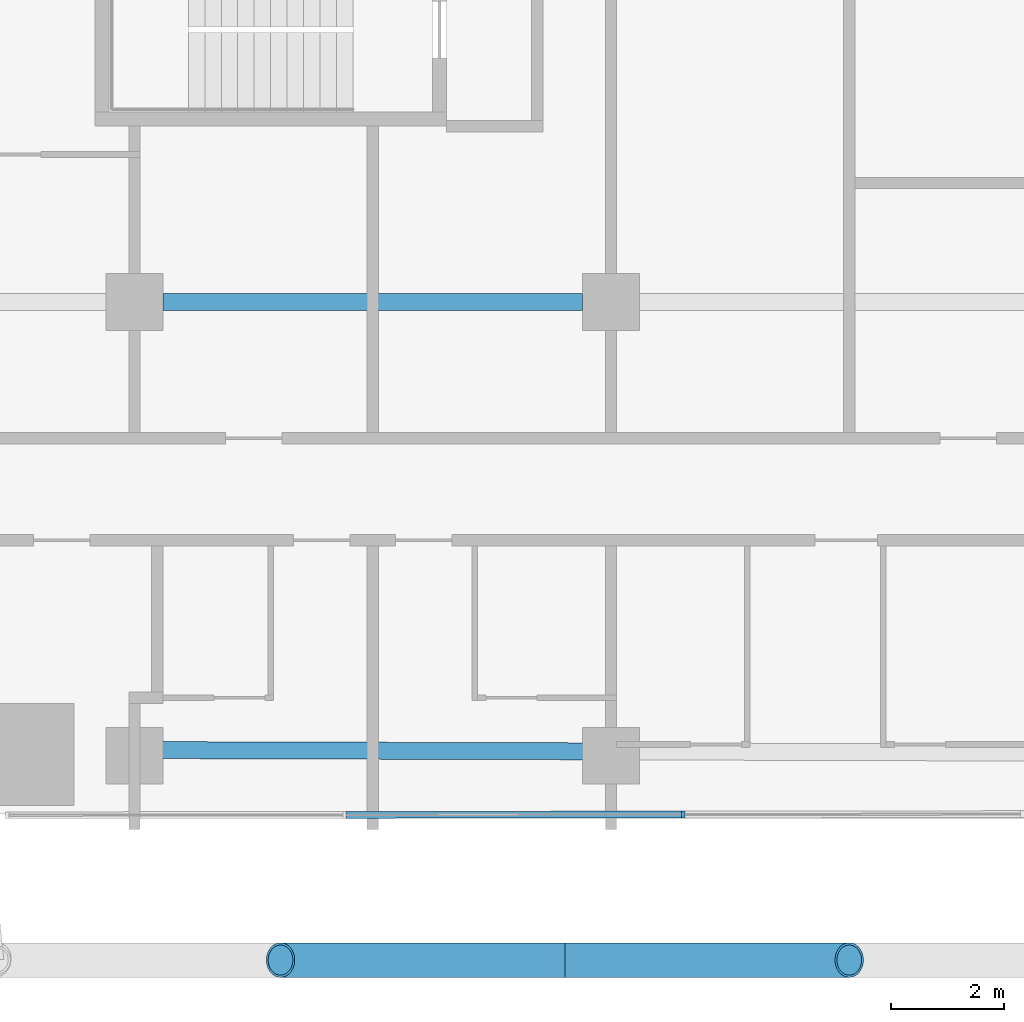
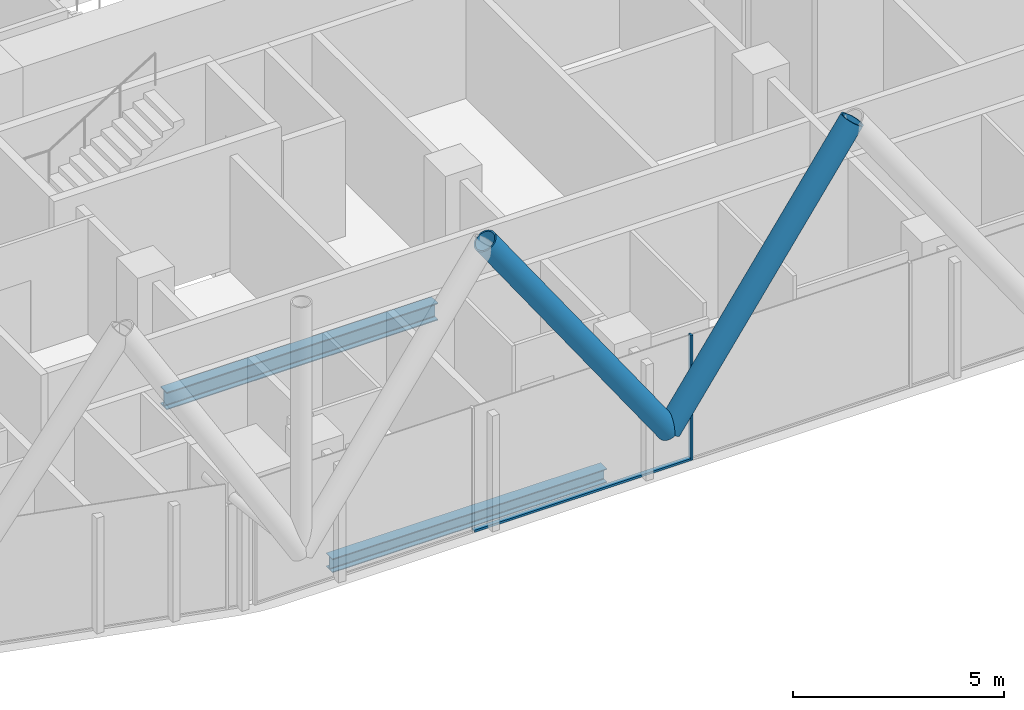
# One storey, part 3 of 35: 4 members, 2 beams, 1 element without a shape of its own.
"""IFC4 building model written with IfcOpenShell, lengths in metres."""

import ifcopenshell
import ifcopenshell.guid

model = None  # the IFC model being written
_history = None  # IfcOwnerHistory: only IFC2X3 demands one
_inside = {}  # id of a spatial element -> (the spatial element, [elements in it])
_under = {}  # id of a project, library or spatial element -> (it, [spatial elements below it])
_declared = {}  # id of a project -> (the project, [libraries it declares])
_typed = {}  # id of a type object -> (the type object, [elements of that type])
_made_of = {}  # id of a material, layer set ... -> (it, [elements and type objects made of it])


def new_model(schema):
    """Start an empty IFC model of exactly this schema.

    Asked for "IFC4X3", IfcOpenShell would pick the latest addendum, in which some entities
    have other attributes; the version numbers below select the first issue.
    IFC2X3 requires an IfcOwnerHistory on every rooted entity: one is made here for all.
    """
    global model, _history
    if schema == "IFC4X3":
        model = ifcopenshell.file(schema_version=(4, 3, 0, 0))
    else:
        model = ifcopenshell.file(schema=schema)
    _inside.clear()
    _under.clear()
    _declared.clear()
    _typed.clear()
    _made_of.clear()
    _history = None
    if model.schema == "IFC2X3":
        org = make("IfcOrganization", Name="unknown")
        user = make(
            "IfcPersonAndOrganization",
            ThePerson=make("IfcPerson", FamilyName="unknown"),
            TheOrganization=org,
        )
        app = make(
            "IfcApplication",
            ApplicationDeveloper=org,
            Version="unknown",
            ApplicationFullName="unknown",
            ApplicationIdentifier="unknown",
        )
        _history = make(
            "IfcOwnerHistory",
            OwningUser=user,
            OwningApplication=app,
            ChangeAction="ADDED",
            CreationDate=0,
        )
    return model


def make(cls, **values):
    """One entity of the class cls with the attributes given. An attribute that is None is left unset."""
    return model.create_entity(
        cls, **{name: value for name, value in values.items() if value is not None}
    )


def rooted(cls, **values):
    """An entity with a GlobalId (a new one), such as an element, a storey or a relation."""
    return make(cls, GlobalId=ifcopenshell.guid.new(), OwnerHistory=_history, **values)


def si_unit(unit_type, name, prefix=None):
    """IfcSIUnit, for example si_unit("LENGTHUNIT", "METRE", prefix="MILLI")."""
    return make("IfcSIUnit", UnitType=unit_type, Prefix=prefix, Name=name)


def assignment(units):
    """IfcUnitAssignment: the units of a project."""
    return None if units is None else make("IfcUnitAssignment", Units=units)


def point(xyz):
    """IfcCartesianPoint."""
    return None if xyz is None else make("IfcCartesianPoint", Coordinates=xyz)


def direction(xyz):
    """IfcDirection."""
    return None if xyz is None else make("IfcDirection", DirectionRatios=xyz)


def frame(location, z_axis=None, x_axis=None):
    """IfcAxis2Placement3D, a coordinate frame: its origin and axes. An axis left out is left unset."""
    return make(
        "IfcAxis2Placement3D",
        Location=point(location),
        Axis=direction(z_axis),
        RefDirection=direction(x_axis),
    )


def frame_2d(location, x_axis=None):
    """IfcAxis2Placement2D, a coordinate frame in the plane: its origin and x axis."""
    return make(
        "IfcAxis2Placement2D", Location=point(location), RefDirection=direction(x_axis)
    )


def origin():
    """The frame at (0, 0, 0) with its axes left unset."""
    return frame((0.0, 0.0, 0.0))


def origin_2d():
    """The frame at (0, 0) in the plane with its x axis left unset."""
    return frame_2d((0.0, 0.0))


def place(relative_to, where):
    """IfcLocalPlacement: puts the frame where relative to a parent placement (None: the world)."""
    return make(
        "IfcLocalPlacement", PlacementRelTo=relative_to, RelativePlacement=where
    )


def context(
    kind, dimensions, precision=None, world=None, true_north=None, identifier=None
):
    """IfcGeometricRepresentationContext, for example the 3D "Model" context."""
    return make(
        "IfcGeometricRepresentationContext",
        ContextIdentifier=identifier,
        ContextType=kind,
        CoordinateSpaceDimension=dimensions,
        Precision=precision,
        WorldCoordinateSystem=world,
        TrueNorth=true_north,
    )


def subcontext(parent, identifier, kind, view, scale=None):
    """IfcGeometricRepresentationSubContext, for example "Body" below "Model"."""
    return make(
        "IfcGeometricRepresentationSubContext",
        ContextIdentifier=identifier,
        ContextType=kind,
        ParentContext=parent,
        TargetScale=scale,
        TargetView=view,
    )


def project(units=None, contexts=None):
    """IfcProject with its units and contexts."""
    return rooted(
        "IfcProject",
        Name="project",
        RepresentationContexts=contexts,
        UnitsInContext=assignment(units),
    )


def spatial(cls, under=None, at=None, **own):
    """A site, building, storey or space (cls), placed at a placement, below another one or the project."""
    s = rooted(cls, ObjectPlacement=at, **own)
    if under is not None:
        _under.setdefault(under.id(), (under, []))[1].append(s)
    return s


def profile(cls, at=None, kind="AREA", **sizes):
    """A parametric profile (cls). Its sizes go by their IFC names, for example OverallWidth=200.0."""
    return make(cls, ProfileType=kind, Position=at, **sizes)


def rectangle(**sizes):
    """IfcRectangleProfileDef."""
    return profile("IfcRectangleProfileDef", **sizes)


def hollow_circle(**sizes):
    """IfcCircleHollowProfileDef."""
    return profile("IfcCircleHollowProfileDef", **sizes)


def i_section(**sizes):
    """IfcIShapeProfileDef."""
    return profile("IfcIShapeProfileDef", **sizes)


def extrude(swept, where, along, depth):
    """IfcExtrudedAreaSolid: the profile swept, set in the frame where, extruded along a direction by depth."""
    return make(
        "IfcExtrudedAreaSolid",
        SweptArea=swept,
        Position=where,
        ExtrudedDirection=direction(along),
        Depth=depth,
    )


def shape(context_of_items, identifier, shape_type, items):
    """IfcShapeRepresentation: the items that make up one representation, for example the "Body"."""
    return make(
        "IfcShapeRepresentation",
        ContextOfItems=context_of_items,
        RepresentationIdentifier=identifier,
        RepresentationType=shape_type,
        Items=items,
    )


def material(Name=None, Category=None):
    """IfcMaterial."""
    return make("IfcMaterial", Name=Name, Category=Category)


def layer(
    of_material, thickness, ventilated=None, Name=None, Category=None, Priority=None
):
    """IfcMaterialLayer: one layer of a wall or slab, of a material (None: an air gap)."""
    return make(
        "IfcMaterialLayer",
        Material=of_material,
        LayerThickness=thickness,
        IsVentilated=ventilated,
        Name=Name,
        Category=Category,
        Priority=Priority,
    )


def layer_set(layers, Name=None):
    """IfcMaterialLayerSet."""
    return make("IfcMaterialLayerSet", MaterialLayers=layers, LayerSetName=Name)


def material_profile(
    of_material, cross_section, Name=None, Category=None, Priority=None
):
    """IfcMaterialProfile: a cross section and its material."""
    return make(
        "IfcMaterialProfile",
        Name=Name,
        Material=of_material,
        Profile=cross_section,
        Priority=Priority,
        Category=Category,
    )


def profile_set(profiles, Name=None, composite=None):
    """IfcMaterialProfileSet."""
    return make(
        "IfcMaterialProfileSet",
        Name=Name,
        MaterialProfiles=profiles,
        CompositeProfile=composite,
    )


def made_of(thing, what):
    """Note that an element or type object is made of a material, layer set ...; save() writes the relation."""
    if what is not None:
        _made_of.setdefault(what.id(), (what, []))[1].append(thing)
    return thing


def type_object(cls, material=None, **own):
    """A type object (cls), such as IfcWallType, which elements share."""
    return made_of(rooted(cls, **own), material)


def element(
    cls,
    number,
    at=None,
    inside=None,
    cuts=None,
    type_object=None,
    material=None,
    context=None,
    identifier="Body",
    shape_type=None,
    held_by="IfcProductDefinitionShape",
    body=None,
    shapes=None,
    **own,
):
    """One element of the class cls, such as IfcWall. Its Tag is "e" and its number.

    at: its placement. inside: the storey or other place that contains it. cuts: it is an
    opening in that element (IfcRelVoidsElement). A single representation is given by context,
    identifier, shape_type and body (its items); several are given by shapes. held_by: the class
    of the entity that holds the representations. save() writes the other relations.
    """
    e = rooted(cls, Tag="e%d" % number, ObjectPlacement=at, **own)
    if body is not None:
        shapes = [shape(context, identifier, shape_type, body)]
    if shapes is not None:
        e.Representation = make(held_by, Representations=shapes)
    if inside is not None:
        _inside.setdefault(inside.id(), (inside, []))[1].append(e)
    if cuts is not None:
        rooted(
            "IfcRelVoidsElement", RelatingBuildingElement=cuts, RelatedOpeningElement=e
        )
    if type_object is not None:
        _typed.setdefault(type_object.id(), (type_object, []))[1].append(e)
    return made_of(e, material)


def aggregate(whole, parts):
    """IfcRelAggregates: a whole, such as a stair, and the parts it consists of."""
    return rooted("IfcRelAggregates", RelatingObject=whole, RelatedObjects=parts)


def save(model, path):
    """Write the relations noted so far, then the file.

    IfcRelAggregates (storeys below a building ...), IfcRelContainedInSpatialStructure (elements
    in a storey), IfcRelDefinesByType, IfcRelAssociatesMaterial and IfcRelDeclares: one each for
    every whole, place, type object, material and project.
    """
    for whole, parts in _under.values():
        aggregate(whole, parts)
    for where, things in _inside.values():
        rooted(
            "IfcRelContainedInSpatialStructure",
            RelatedElements=things,
            RelatingStructure=where,
        )
    for kind, things in _typed.values():
        rooted("IfcRelDefinesByType", RelatedObjects=things, RelatingType=kind)
    for what, things in _made_of.values():
        rooted("IfcRelAssociatesMaterial", RelatedObjects=things, RelatingMaterial=what)
    for by, libraries in _declared.values():
        rooted("IfcRelDeclares", RelatingContext=by, RelatedDefinitions=libraries)
    model.write(path)


model = new_model("IFC4")

# Units and contexts
model_context = context("Model", 3, precision=1e-05, world=origin(), true_north=direction((0.0, 1.0)))
body_context = subcontext(model_context, "Body", "Model", "MODEL_VIEW")
ifc_project = project(units=[si_unit("LENGTHUNIT", "METRE"), si_unit("AREAUNIT", "SQUARE_METRE"), si_unit("VOLUMEUNIT", "CUBIC_METRE"), si_unit("PLANEANGLEUNIT", "RADIAN"), si_unit("MASSUNIT", "GRAM", prefix="KILO")], contexts=[model_context])

# Site, building, storey
site_placement = place(None, origin())
site = spatial("IfcSite", under=ifc_project, at=site_placement, CompositionType="ELEMENT")
building_placement = place(site_placement, origin())
building = spatial("IfcBuilding", under=site, at=building_placement, Name="Marenta Gate Hotel Tower", CompositionType="ELEMENT")
storey_placement = place(building_placement, frame((0.0, 0.0, 61.699951171875)))
storey = spatial("IfcBuildingStorey", under=building, at=storey_placement, Name="L13", CompositionType="ELEMENT", Elevation=61.699951171875)

# Members
ifc_material_1 = material(Name="Steel S355J2W", Category="steel")
ifc_material_profile_1 = material_profile(ifc_material_1, hollow_circle(Radius=0.304931640625, WallThickness=0.0400390625, at=origin_2d()), Name="CHS 610x40")
ifc_profile_set_1 = profile_set([ifc_material_profile_1], Name="Steel S355J2W")
member_type_1 = type_object("IfcMemberType", Name="Diagrid diagonal Z1 CHS 610x40", PredefinedType="BRACE", material=ifc_profile_set_1)
for number, where, z_axis, x_axis, name in (
    (1, (-5.012939453125, -20.0, 3.14013671875), (0.571393025954, 0.0, 0.820676556197), (0.0, 1.0, 0.0), "L13-DG-18"),
    (2, (-5.012939453125, -20.0, 3.14013671875), (-0.571393025954, 0.0, 0.820676556197), (0.0, -1.0, 0.0), "L13-DG-19"),
):
    element("IfcMember", number, at=place(storey_placement, frame(where, z_axis=z_axis, x_axis=x_axis)), inside=storey, type_object=member_type_1, Name=name, PredefinedType="BRACE", context=body_context, shape_type="SweptSolid", body=[
        extrude(hollow_circle(Radius=0.304931640625, WallThickness=0.0400390625, at=origin_2d()), origin(), (0.0, 0.0, 1.0), 8.773193359375),
    ])

# Beams
ifc_material_2 = material(Name="Steel S355", Category="steel")
ifc_material_profile_2 = material_profile(ifc_material_2, i_section(OverallWidth=0.300048828125, OverallDepth=0.39990234375, WebThickness=0.013427734375, FlangeThickness=0.02392578125, FilletRadius=0.027099609375, at=origin_2d()), Name="HEB 400")
ifc_profile_set_2 = profile_set([ifc_material_profile_2], Name="Steel S355")
beam_type_1 = type_object("IfcBeamType", Name="Edge beam HEB 400", PredefinedType="SPANDREL", material=ifc_profile_set_2)
beam_1_placement = place(storey_placement, frame((-4.659912109375, -16.31982421875, -0.4599609375), z_axis=(-0.999996151562, 0.002774321851, 0.0), x_axis=(-0.002774321851, -0.999996151562, 0.0)))
element("IfcBeam", 3, at=beam_1_placement, inside=storey, type_object=beam_type_1, Name="L13-EB-34", PredefinedType="SPANDREL", context=body_context, shape_type="SweptSolid", body=[
    extrude(i_section(OverallWidth=0.300048828125, OverallDepth=0.39990234375, WebThickness=0.013427734375, FlangeThickness=0.02392578125, FilletRadius=0.027099609375, at=origin_2d()), origin(), (0.0, 0.0, 1.0), 7.47998046875),
])
ifc_material_3 = material(Name="Steel S355", Category="steel")
ifc_material_profile_3 = material_profile(ifc_material_3, i_section(OverallWidth=0.300048828125, OverallDepth=0.5, WebThickness=0.014404296875, FlangeThickness=0.028076171875, FilletRadius=0.027099609375, at=origin_2d()), Name="HEB 500")
ifc_profile_set_3 = profile_set([ifc_material_profile_3], Name="Steel S355")
beam_type_2 = type_object("IfcBeamType", Name="Girder HEB 500", PredefinedType="BEAM", material=ifc_profile_set_3)
beam_2_placement = place(storey_placement, frame((-12.10009765625, -8.39990234375, -0.510009765625), z_axis=(1.0, 0.0, 0.0), x_axis=(0.0, 1.0, 0.0)))
element("IfcBeam", 4, at=beam_2_placement, inside=storey, type_object=beam_type_2, Name="L13-GD-3", PredefinedType="BEAM", context=body_context, shape_type="SweptSolid", body=[
    extrude(i_section(OverallWidth=0.300048828125, OverallDepth=0.5, WebThickness=0.014404296875, FlangeThickness=0.028076171875, FilletRadius=0.027099609375, at=origin_2d()), origin(), (0.0, 0.0, 1.0), 7.400146484375),
])

# Curtain wall, members
ifc_material_4 = material(Name="Tinted insulated glass in bronze anodised frame", Category="glass")
ifc_layer = layer(ifc_material_4, 0.1201171875)
ifc_layer_set = layer_set([ifc_layer], Name="Tinted insulated glass in bronze anodised frame")
curtain_wall_type = type_object("IfcCurtainWallType", Name="Tower unitised curtain wall CW1", PredefinedType="NOTDEFINED", material=ifc_layer_set)
curtain_wall_placement = place(storey_placement, origin())
curtain_wall = element("IfcCurtainWall", 5, at=curtain_wall_placement, inside=storey, type_object=curtain_wall_type, Name="CW1 run G11", PredefinedType="NOTDEFINED")
ifc_material_5 = material(Name="Bronze anodised aluminium", Category="aluminium")
ifc_material_profile_4 = material_profile(ifc_material_5, rectangle(XDim=0.1201171875, YDim=0.06005859375, at=origin_2d()), Name="Mullion CW1 60x120 bronze anodised aluminium")
ifc_profile_set_4 = profile_set([ifc_material_profile_4], Name="Bronze anodised aluminium")
member_type_2 = type_object("IfcMemberType", Name="Mullion CW1 60x120 bronze anodised aluminium", PredefinedType="MULLION", material=ifc_profile_set_4)
member_1_placement = place(storey_placement, frame((-2.9248046875, -17.433837890625, 0.0), z_axis=(0.0, 0.0, 1.0), x_axis=(-0.001161921639, 0.999999324969, 0.0)))
member_1 = element("IfcMember", 6, at=member_1_placement, type_object=member_type_2, Name="CW1 mullion 3", PredefinedType="MULLION", context=body_context, shape_type="SweptSolid", body=[
    extrude(rectangle(XDim=0.1201171875, YDim=0.06005859375, at=origin_2d()), origin(), (0.0, 0.0, 1.0), 3.60009765625),
])
ifc_material_6 = material(Name="Bronze anodised aluminium", Category="aluminium")
ifc_material_profile_5 = material_profile(ifc_material_6, rectangle(XDim=0.1201171875, YDim=0.06005859375, at=origin_2d()), Name="Transom CW1 60x120 bronze anodised aluminium")
ifc_profile_set_5 = profile_set([ifc_material_profile_5], Name="Bronze anodised aluminium")
member_type_3 = type_object("IfcMemberType", Name="Transom CW1 60x120 bronze anodised aluminium", PredefinedType="USERDEFINED", material=ifc_profile_set_5)
member_2_placement = place(storey_placement, frame((-8.86767578125, -17.44091796875, 0.030029296875), z_axis=(0.999999283109, 0.001197406136, 0.0), x_axis=(-0.001197406136, 0.999999283109, 0.0)))
member_2 = element("IfcMember", 7, at=member_2_placement, type_object=member_type_3, Name="CW1 transom 2.1", ObjectType="TRANSOM", PredefinedType="USERDEFINED", context=body_context, shape_type="SweptSolid", body=[
    extrude(rectangle(XDim=0.1201171875, YDim=0.06005859375, at=origin_2d()), origin(), (0.0, 0.0, 1.0), 5.912841796875),
])
aggregate(curtain_wall, [member_1, member_2])

save(model, "model.ifc")
